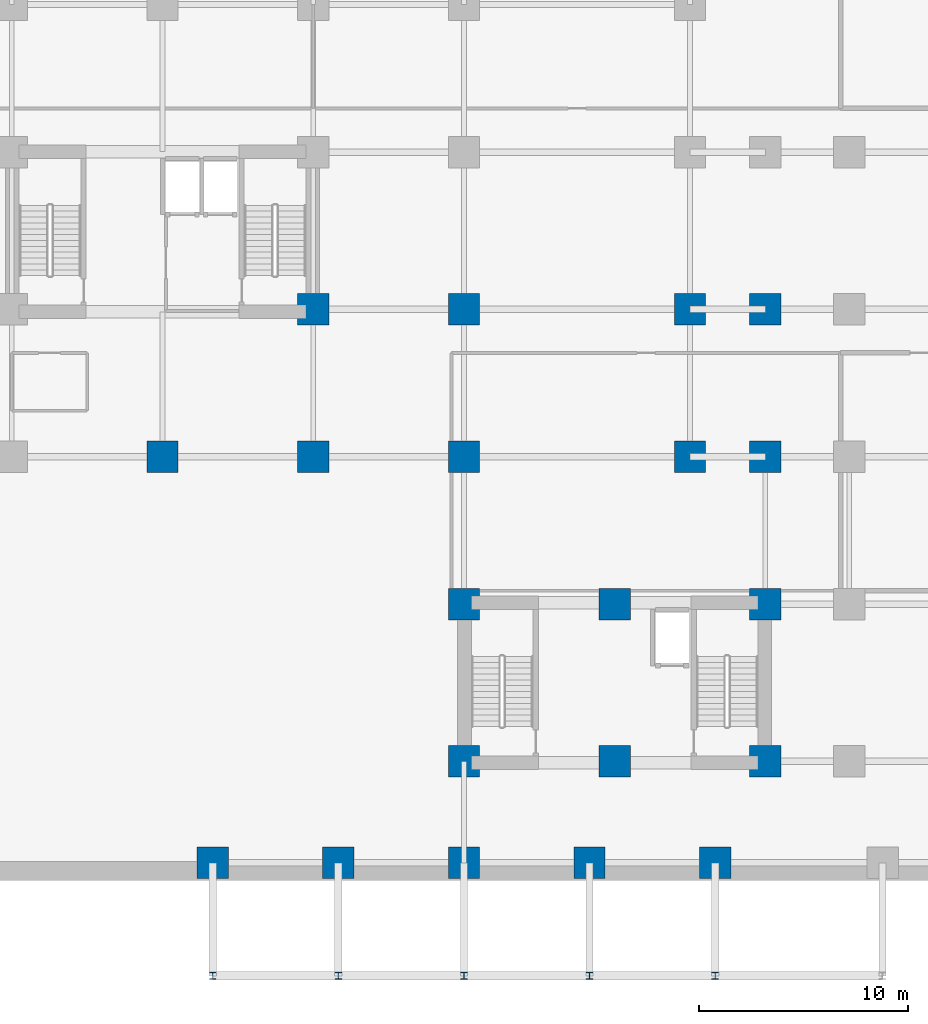
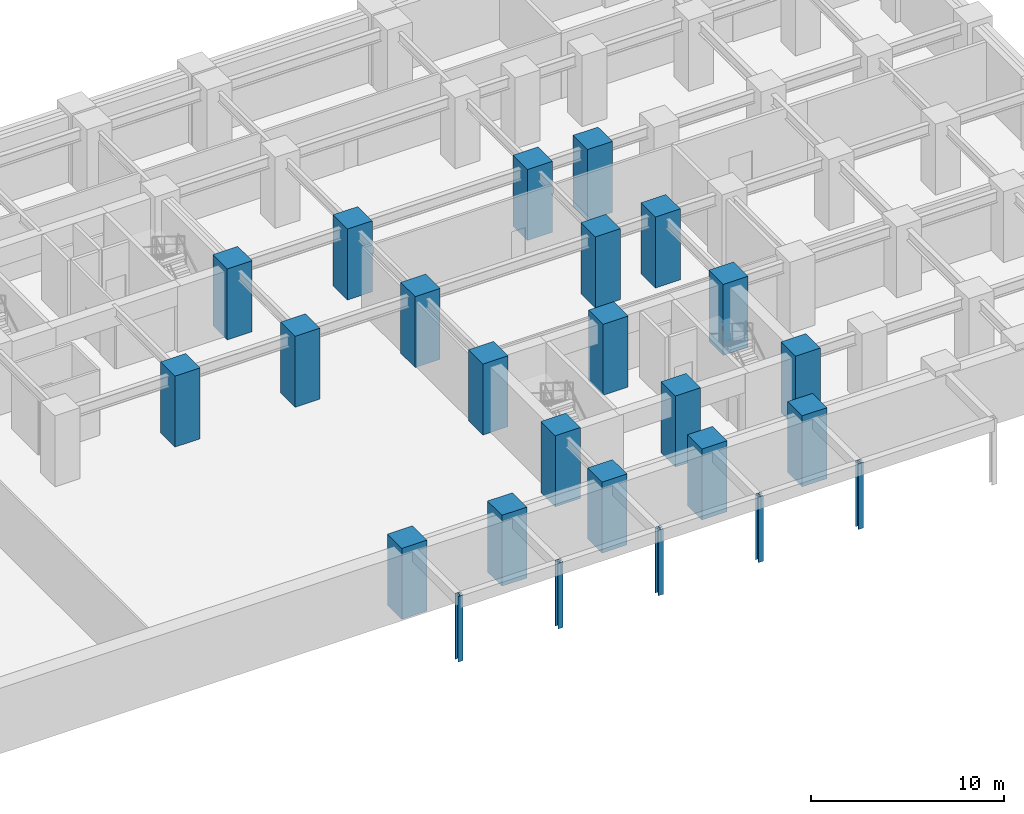
# One storey, part 2 of 11: 25 columns.
"""IFC4 building model written with IfcOpenShell, lengths in metres."""

from ifc_helpers import new_model, si_unit, direction, frame, origin, origin_2d, place, context, subcontext, project, spatial, rectangle, i_section, extrude, source, transform, mapped, material, material_profile, profile_set, type_object, element, save


model = new_model("IFC4")

# Units and contexts
model_context = context("Model", 3, precision=1e-05, world=origin(), true_north=direction((0.0, 1.0)))
body_context = subcontext(model_context, "Body", "Model", "MODEL_VIEW")
ifc_project = project(units=[si_unit("LENGTHUNIT", "METRE"), si_unit("AREAUNIT", "SQUARE_METRE"), si_unit("VOLUMEUNIT", "CUBIC_METRE"), si_unit("PLANEANGLEUNIT", "RADIAN"), si_unit("MASSUNIT", "GRAM", prefix="KILO")], contexts=[model_context])

# Site, building, storey
site_placement = place(None, origin())
site = spatial("IfcSite", under=ifc_project, at=site_placement, CompositionType="ELEMENT")
building_placement = place(site_placement, origin())
building = spatial("IfcBuilding", under=site, at=building_placement, Name="Kaliganga Portal Commons", CompositionType="ELEMENT")
storey_placement = place(building_placement, frame((0.0, 0.0, -4.5)))
storey = spatial("IfcBuildingStorey", under=building, at=storey_placement, Name="B1", CompositionType="ELEMENT", Elevation=-4.5)

# Columns
ifc_material_1 = material(Name="Structural steel S355J2", Category="steel")
ifc_material_profile_1 = material_profile(ifc_material_1, i_section(OverallWidth=0.300048828125, OverallDepth=0.320068359375, WebThickness=0.011474609375, FlangeThickness=0.0205078125, FilletRadius=0.027099609375, at=origin_2d()), Name="HE 320 B")
ifc_profile_set_1 = profile_set([ifc_material_profile_1], Name="Structural steel S355J2 wide-flange")
column_type_1 = type_object("IfcColumnType", Name="COL-PROM-POST", PredefinedType="COLUMN", material=ifc_profile_set_1)
shared_shape_1 = source(origin(), body_context, "Body", "SweptSolid", [
    extrude(i_section(OverallWidth=0.300048828125, OverallDepth=0.320068359375, WebThickness=0.011474609375, FlangeThickness=0.0205078125, FilletRadius=0.027099609375, at=origin_2d()), origin(), (0.0, 0.0, 1.0), 4.1650390625),
])
for number, where, z_axis, x_axis, name in (
    (1, (24.0, -3.199951171875, 0.0), (0.0, 0.0, 1.0), (1.0, 0.0, 0.0), "Column PC-01 B1"),
    (2, (30.0, -3.199951171875, 0.0), (0.0, 0.0, 1.0), (1.0, 0.0, 0.0), "Column PC-01 B1"),
    (3, (36.0, -3.199951171875, 0.0), (0.0, 0.0, 1.0), (1.0, 0.0, 0.0), "Column PC-01 B1"),
    (4, (42.0, -3.199951171875, 0.0), (0.0, 0.0, 1.0), (1.0, 0.0, 0.0), "Column PC-01 B1"),
    (5, (48.0, -3.199951171875, 0.0), (0.0, 0.0, 1.0), (1.0, 0.0, 0.0), "Column PC-01 B1"),
):
    element("IfcColumn", number, at=place(storey_placement, frame(where, z_axis=z_axis, x_axis=x_axis)), inside=storey, type_object=column_type_1, Name=name, PredefinedType="COLUMN", context=body_context, shape_type="MappedRepresentation", body=[
        mapped(shared_shape_1, transform((0.0, 0.0, 0.0), x_axis=(1.0, 0.0, 0.0), y_axis=(0.0, 1.0, 0.0), z_axis=(0.0, 0.0, 1.0), scale=1.0)),
    ])
ifc_material_2 = material(Name="Concrete C70/85", Category="concrete")
ifc_material_profile_2 = material_profile(ifc_material_2, rectangle(XDim=1.5, YDim=1.5, at=origin_2d()), Name="RC 1500x1500")
ifc_profile_set_2 = profile_set([ifc_material_profile_2], Name="Concrete C70/85")
column_type_2 = type_object("IfcColumnType", Name="COL-MEGA-Z0", PredefinedType="COLUMN", material=ifc_profile_set_2)
shared_shape_2 = source(origin(), body_context, "Body", "SweptSolid", [
    extrude(rectangle(XDim=1.5, YDim=1.5, at=origin_2d()), origin(), (0.0, 0.0, 1.0), 4.5),
])
for number, where, z_axis, x_axis, name in (
    (6, (21.60009765625, 21.60009765625, 0.0), (0.0, 0.0, 1.0), (1.0, 0.0, 0.0), "Column MC-01 B1"),
    (7, (28.800048828125, 21.60009765625, 0.0), (0.0, 0.0, 1.0), (1.0, 0.0, 0.0), "Column MC-01 B1"),
    (8, (28.800048828125, 28.64990234375, 0.0), (0.0, 0.0, 1.0), (1.0, 0.0, 0.0), "Column MC-01 B1"),
    (9, (36.0, 21.60009765625, 0.0), (0.0, 0.0, 1.0), (1.0, 0.0, 0.0), "Column MC-01 B1"),
    (10, (36.0, 28.64990234375, 0.0), (0.0, 0.0, 1.0), (1.0, 0.0, 0.0), "Column MC-01 B1"),
    (11, (46.800048828125, 21.60009765625, 0.0), (0.0, 0.0, 1.0), (1.0, 0.0, 0.0), "Column MC-01 B1"),
    (12, (46.800048828125, 28.64990234375, 0.0), (0.0, 0.0, 1.0), (1.0, 0.0, 0.0), "Column MC-01 B1"),
    (13, (36.0, 7.050048828125, 0.0), (0.0, 0.0, 1.0), (1.0, 0.0, 0.0), "Column MC-01 B1"),
    (14, (36.0, 14.550048828125, 0.0), (0.0, 0.0, 1.0), (1.0, 0.0, 0.0), "Column MC-01 B1"),
    (15, (43.199951171875, 7.050048828125, 0.0), (0.0, 0.0, 1.0), (1.0, 0.0, 0.0), "Column MC-01 B1"),
    (16, (43.199951171875, 14.550048828125, 0.0), (0.0, 0.0, 1.0), (1.0, 0.0, 0.0), "Column MC-01 B1"),
    (17, (50.39990234375, 7.050048828125, 0.0), (0.0, 0.0, 1.0), (1.0, 0.0, 0.0), "Column MC-01 B1"),
    (18, (50.39990234375, 14.550048828125, 0.0), (0.0, 0.0, 1.0), (1.0, 0.0, 0.0), "Column MC-01 B1"),
    (19, (50.39990234375, 21.60009765625, 0.0), (0.0, 0.0, 1.0), (1.0, 0.0, 0.0), "Column MC-01 B1"),
    (20, (50.39990234375, 28.64990234375, 0.0), (0.0, 0.0, 1.0), (1.0, 0.0, 0.0), "Column MC-01 B1"),
    (21, (48.0, 2.199951171875, 0.0), (0.0, 0.0, 1.0), (1.0, 0.0, 0.0), "Column MC-01 B1"),
    (22, (42.0, 2.199951171875, 0.0), (0.0, 0.0, 1.0), (1.0, 0.0, 0.0), "Column MC-01 B1"),
    (23, (36.0, 2.199951171875, 0.0), (0.0, 0.0, 1.0), (1.0, 0.0, 0.0), "Column MC-01 B1"),
    (24, (30.0, 2.199951171875, 0.0), (0.0, 0.0, 1.0), (1.0, 0.0, 0.0), "Column MC-01 B1"),
    (25, (24.0, 2.199951171875, 0.0), (0.0, 0.0, 1.0), (1.0, 0.0, 0.0), "Column MC-01 B1"),
):
    element("IfcColumn", number, at=place(storey_placement, frame(where, z_axis=z_axis, x_axis=x_axis)), inside=storey, type_object=column_type_2, Name=name, PredefinedType="COLUMN", context=body_context, shape_type="MappedRepresentation", body=[
        mapped(shared_shape_2, transform((0.0, 0.0, 0.0), x_axis=(1.0, 0.0, 0.0), y_axis=(0.0, 1.0, 0.0), z_axis=(0.0, 0.0, 1.0), scale=1.0)),
    ])

save(model, "model.ifc")
